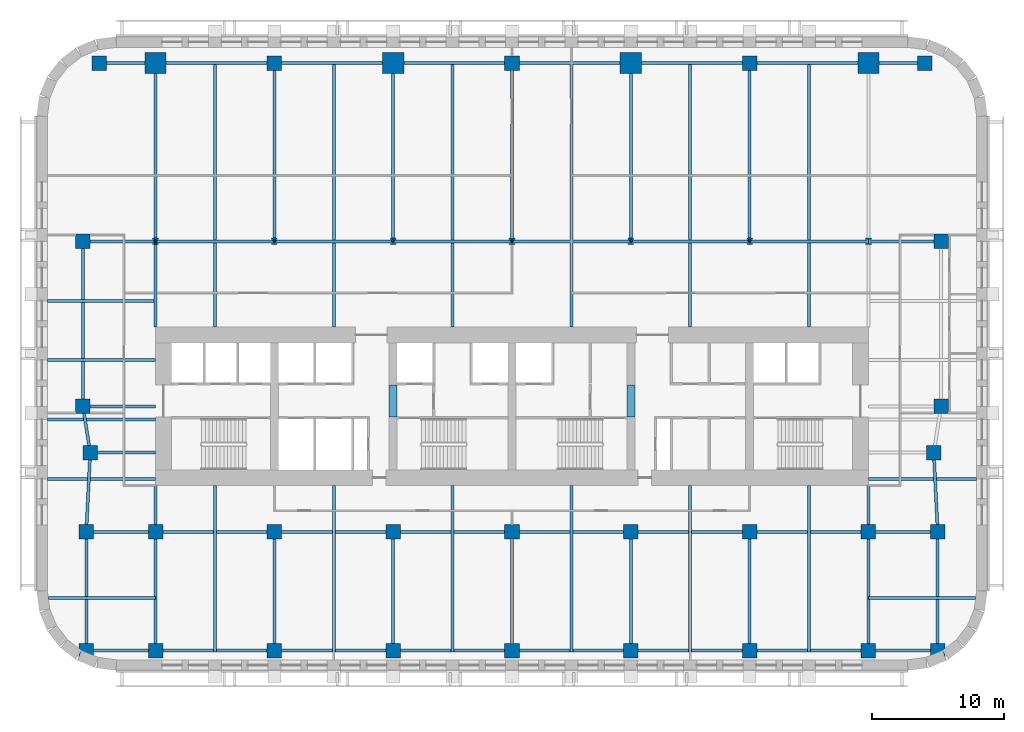
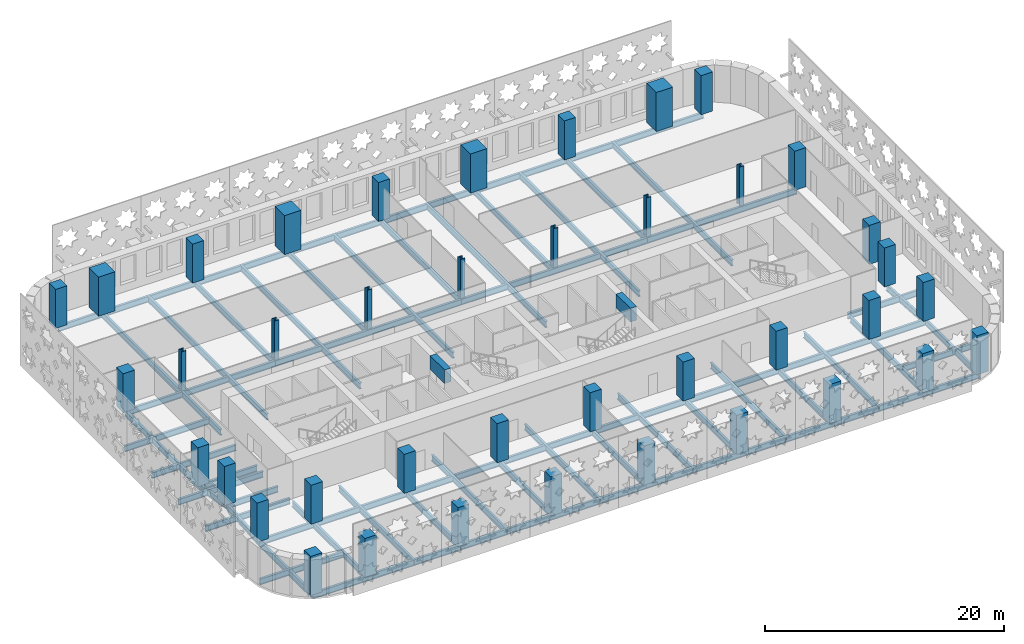
# One storey, part 1 of 15: 59 beams, 40 columns.
"""IFC4 building model written with IfcOpenShell, lengths in metres."""

from ifc_helpers import new_model, si_unit, direction, frame, origin, origin_2d, place, context, subcontext, project, spatial, rectangle, i_section, extrude, material, material_profile, profile_set, type_object, element, save


model = new_model("IFC4")

# Units and contexts
model_context = context("Model", 3, precision=1e-05, world=origin(), true_north=direction((0.0, 1.0)))
body_context = subcontext(model_context, "Body", "Model", "MODEL_VIEW")
ifc_project = project(units=[si_unit("LENGTHUNIT", "METRE"), si_unit("AREAUNIT", "SQUARE_METRE"), si_unit("VOLUMEUNIT", "CUBIC_METRE"), si_unit("PLANEANGLEUNIT", "RADIAN"), si_unit("MASSUNIT", "GRAM", prefix="KILO")], contexts=[model_context])

# Site, building, storey
site_placement = place(None, origin())
site = spatial("IfcSite", under=ifc_project, at=site_placement, CompositionType="ELEMENT")
building_placement = place(site_placement, origin())
building = spatial("IfcBuilding", under=site, at=building_placement, Name="Zellij Exchange Tower", CompositionType="ELEMENT")
storey_placement = place(building_placement, frame((0.0, 0.0, 84.5)))
storey = spatial("IfcBuildingStorey", under=building, at=storey_placement, Name="L17", CompositionType="ELEMENT", Elevation=84.5)

# Columns
ifc_material_1 = material(Name="Concrete C70/85", Category="concrete")
ifc_material_profile_1 = material_profile(ifc_material_1, rectangle(XDim=1.10009765625, YDim=1.10009765625, at=origin_2d()), Name="STR-COLUMN RC1100x1100 C70/85")
ifc_profile_set_1 = profile_set([ifc_material_profile_1], Name="Concrete C70/85")
column_type_1 = type_object("IfcColumnType", Name="STR-COLUMN RC1100x1100 C70/85", PredefinedType="COLUMN", material=ifc_profile_set_1)
for number, where, z_axis, x_axis, name in (
    (1, (-32.25, -26.5, 0.0), (0.0, 0.0, 1.0), (1.0, 0.0, 0.0), "C11"),
    (2, (-27.0, -26.5, 0.0), (0.0, 0.0, 1.0), (1.0, 0.0, 0.0), "C11"),
    (3, (-18.0, -26.5, 0.0), (0.0, 0.0, 1.0), (1.0, 0.0, 0.0), "C11"),
    (4, (-9.0, -26.5, 0.0), (0.0, 0.0, 1.0), (1.0, 0.0, 0.0), "C11"),
    (5, (0.0, -26.5, 0.0), (0.0, 0.0, 1.0), (1.0, 0.0, 0.0), "C11"),
    (6, (9.0, -26.5, 0.0), (0.0, 0.0, 1.0), (1.0, 0.0, 0.0), "C11"),
    (7, (18.0, -26.5, 0.0), (0.0, 0.0, 1.0), (1.0, 0.0, 0.0), "C11"),
    (8, (27.0, -26.5, 0.0), (0.0, 0.0, 1.0), (1.0, 0.0, 0.0), "C11"),
    (9, (32.25, -26.5, 0.0), (0.0, 0.0, 1.0), (1.0, 0.0, 0.0), "C11"),
    (10, (-32.25, -17.5, 0.0), (0.0, 0.0, 1.0), (1.0, 0.0, 0.0), "C11"),
    (11, (-27.0, -17.5, 0.0), (0.0, 0.0, 1.0), (1.0, 0.0, 0.0), "C11"),
    (12, (-18.0, -17.5, 0.0), (0.0, 0.0, 1.0), (1.0, 0.0, 0.0), "C11"),
    (13, (-9.0, -17.5, 0.0), (0.0, 0.0, 1.0), (1.0, 0.0, 0.0), "C11"),
    (14, (0.0, -17.5, 0.0), (0.0, 0.0, 1.0), (1.0, 0.0, 0.0), "C11"),
    (15, (9.0, -17.5, 0.0), (0.0, 0.0, 1.0), (1.0, 0.0, 0.0), "C11"),
    (16, (18.0, -17.5, 0.0), (0.0, 0.0, 1.0), (1.0, 0.0, 0.0), "C11"),
    (17, (27.0, -17.5, 0.0), (0.0, 0.0, 1.0), (1.0, 0.0, 0.0), "C11"),
    (18, (32.25, -17.5, 0.0), (0.0, 0.0, 1.0), (1.0, 0.0, 0.0), "C11"),
    (19, (-31.949951171875, -11.5, 0.0), (0.0, 0.0, 1.0), (1.0, 0.0, 0.0), "C11"),
    (20, (31.949951171875, -11.5, 0.0), (0.0, 0.0, 1.0), (1.0, 0.0, 0.0), "C11"),
    (21, (-32.5, -8.0, 0.0), (0.0, 0.0, 1.0), (1.0, 0.0, 0.0), "C11"),
    (22, (32.5, -8.0, 0.0), (0.0, 0.0, 1.0), (1.0, 0.0, 0.0), "C11"),
    (23, (-32.5, 4.5, 0.0), (0.0, 0.0, 1.0), (1.0, 0.0, 0.0), "C11"),
    (24, (32.5, 4.5, 0.0), (0.0, 0.0, 1.0), (1.0, 0.0, 0.0), "C11"),
    (25, (-31.25, 18.0, 0.0), (0.0, 0.0, 1.0), (1.0, 0.0, 0.0), "C11"),
    (26, (-18.0, 18.0, 0.0), (0.0, 0.0, 1.0), (1.0, 0.0, 0.0), "C11"),
    (27, (0.0, 18.0, 0.0), (0.0, 0.0, 1.0), (1.0, 0.0, 0.0), "C11"),
    (28, (18.0, 18.0, 0.0), (0.0, 0.0, 1.0), (1.0, 0.0, 0.0), "C11"),
    (29, (31.25, 18.0, 0.0), (0.0, 0.0, 1.0), (1.0, 0.0, 0.0), "C11"),
):
    element("IfcColumn", number, at=place(storey_placement, frame(where, z_axis=z_axis, x_axis=x_axis)), inside=storey, type_object=column_type_1, Name=name, PredefinedType="COLUMN", context=body_context, shape_type="SweptSolid", body=[
        extrude(rectangle(XDim=1.10009765625, YDim=1.10009765625, at=origin_2d()), origin(), (0.0, 0.0, 1.0), 4.0),
    ])
ifc_material_2 = material(Name="Structural steel ASTM A913 Gr 65", Category="steel")
ifc_material_profile_2 = material_profile(ifc_material_2, i_section(OverallWidth=0.431884765625, OverallDepth=0.497802734375, WebThickness=0.0556640625, FlangeThickness=0.0888671875, at=origin_2d()), Name="W14x500")
ifc_profile_set_2 = profile_set([ifc_material_profile_2], Name="Structural steel ASTM A913 Gr 65")
column_type_2 = type_object("IfcColumnType", Name="STR-COLUMN W14x500", PredefinedType="COLUMN", material=ifc_profile_set_2)
for number, where, z_axis, x_axis, name in (
    (30, (-27.0, 4.5, 0.0), (0.0, 0.0, 1.0), (1.0, 0.0, 0.0), "C5"),
    (31, (-18.0, 4.5, 0.0), (0.0, 0.0, 1.0), (1.0, 0.0, 0.0), "C5"),
    (32, (-9.0, 4.5, 0.0), (0.0, 0.0, 1.0), (1.0, 0.0, 0.0), "C5"),
    (33, (0.0, 4.5, 0.0), (0.0, 0.0, 1.0), (1.0, 0.0, 0.0), "C5"),
    (34, (9.0, 4.5, 0.0), (0.0, 0.0, 1.0), (1.0, 0.0, 0.0), "C5"),
    (35, (18.0, 4.5, 0.0), (0.0, 0.0, 1.0), (1.0, 0.0, 0.0), "C5"),
    (36, (27.0, 4.5, 0.0), (0.0, 0.0, 1.0), (1.0, 0.0, 0.0), "C5"),
):
    element("IfcColumn", number, at=place(storey_placement, frame(where, z_axis=z_axis, x_axis=x_axis)), inside=storey, type_object=column_type_2, Name=name, PredefinedType="COLUMN", context=body_context, shape_type="SweptSolid", body=[
        extrude(i_section(OverallWidth=0.431884765625, OverallDepth=0.497802734375, WebThickness=0.0556640625, FlangeThickness=0.0888671875, at=origin_2d()), origin(), (0.0, 0.0, 1.0), 4.0),
    ])
ifc_material_profile_3 = material_profile(ifc_material_1, rectangle(XDim=1.60009765625, YDim=1.60009765625, at=origin_2d()), Name="STR-MEGA COLUMN RC1600x1600 C70/85")
ifc_profile_set_3 = profile_set([ifc_material_profile_3], Name="Concrete C70/85")
column_type_3 = type_object("IfcColumnType", Name="STR-MEGA COLUMN RC1600x1600 C70/85", PredefinedType="COLUMN", material=ifc_profile_set_3)
for number, where, z_axis, x_axis, name in (
    (37, (-27.0, 18.0, 0.0), (0.0, 0.0, 1.0), (1.0, 0.0, 0.0), "MC6"),
    (38, (-9.0, 18.0, 0.0), (0.0, 0.0, 1.0), (1.0, 0.0, 0.0), "MC6"),
    (39, (9.0, 18.0, 0.0), (0.0, 0.0, 1.0), (1.0, 0.0, 0.0), "MC6"),
    (40, (27.0, 18.0, 0.0), (0.0, 0.0, 1.0), (1.0, 0.0, 0.0), "MC6"),
):
    element("IfcColumn", number, at=place(storey_placement, frame(where, z_axis=z_axis, x_axis=x_axis)), inside=storey, type_object=column_type_3, Name=name, PredefinedType="COLUMN", context=body_context, shape_type="SweptSolid", body=[
        extrude(rectangle(XDim=1.60009765625, YDim=1.60009765625, at=origin_2d()), origin(), (0.0, 0.0, 1.0), 4.0),
    ])

# Beams
ifc_material_profile_4 = material_profile(ifc_material_1, rectangle(XDim=0.60009765625, YDim=1.39990234375, at=origin_2d()), Name="CORE-CB 600x1400 C70/85")
ifc_profile_set_4 = profile_set([ifc_material_profile_4], Name="Concrete C70/85")
beam_type_1 = type_object("IfcBeamType", Name="CORE-CB 600x1400 C70/85", PredefinedType="BEAM", material=ifc_profile_set_4)
for number, where, z_axis, x_axis, name in (
    (41, (-9.0, -8.800048828125, 3.10009765625), (0.0, 1.0, 0.0), (-1.0, 0.0, 0.0), "Core coupling beam x -9 L17"),
    (42, (9.0, -8.800048828125, 3.10009765625), (0.0, 1.0, 0.0), (-1.0, 0.0, 0.0), "Core coupling beam x 9 L17"),
):
    element("IfcBeam", number, at=place(storey_placement, frame(where, z_axis=z_axis, x_axis=x_axis)), inside=storey, type_object=beam_type_1, Name=name, PredefinedType="BEAM", context=body_context, shape_type="SweptSolid", body=[
        extrude(rectangle(XDim=0.60009765625, YDim=1.39990234375, at=origin_2d()), origin(), (0.0, 0.0, 1.0), 2.425048828125),
    ])
ifc_material_3 = material(Name="Structural steel ASTM A992 Gr 50", Category="steel")
ifc_material_profile_5 = material_profile(ifc_material_3, i_section(OverallWidth=0.227783203125, OverallDepth=0.60205078125, WebThickness=0.010498046875, FlangeThickness=0.014892578125, at=origin_2d()), Name="W24x68")
ifc_profile_set_5 = profile_set([ifc_material_profile_5], Name="Structural steel ASTM A992 Gr 50")
beam_type_2 = type_object("IfcBeamType", Name="STR-BEAM W24x68", PredefinedType="BEAM", material=ifc_profile_set_5)
beam_1_placement = place(storey_placement, frame((-22.5, -26.614501953125, -0.5009765625), z_axis=(0.0, 1.0, 0.0), x_axis=(-1.0, 0.0, 0.0)))
element("IfcBeam", 43, at=beam_1_placement, inside=storey, type_object=beam_type_2, Name="B5", PredefinedType="BEAM", context=body_context, shape_type="SweptSolid", body=[
    extrude(i_section(OverallWidth=0.227783203125, OverallDepth=0.60205078125, WebThickness=0.010498046875, FlangeThickness=0.014892578125, at=origin_2d()), origin(), (0.0, 0.0, 1.0), 12.614501953125),
])
beam_2_placement = place(storey_placement, frame((-22.5, -2.0, -0.5009765625), z_axis=(0.0, 1.0, 0.0), x_axis=(-1.0, 0.0, 0.0)))
element("IfcBeam", 44, at=beam_2_placement, inside=storey, type_object=beam_type_2, Name="B5", PredefinedType="BEAM", context=body_context, shape_type="SweptSolid", body=[
    extrude(i_section(OverallWidth=0.227783203125, OverallDepth=0.60205078125, WebThickness=0.010498046875, FlangeThickness=0.014892578125, at=origin_2d()), origin(), (0.0, 0.0, 1.0), 20.114501953125),
])
beam_3_placement = place(storey_placement, frame((-13.5, -26.614501953125, -0.5009765625), z_axis=(0.0, 1.0, 0.0), x_axis=(-1.0, 0.0, 0.0)))
element("IfcBeam", 45, at=beam_3_placement, inside=storey, type_object=beam_type_2, Name="B5", PredefinedType="BEAM", context=body_context, shape_type="SweptSolid", body=[
    extrude(i_section(OverallWidth=0.227783203125, OverallDepth=0.60205078125, WebThickness=0.010498046875, FlangeThickness=0.014892578125, at=origin_2d()), origin(), (0.0, 0.0, 1.0), 12.614501953125),
])
beam_4_placement = place(storey_placement, frame((-13.5, -2.0, -0.5009765625), z_axis=(0.0, 1.0, 0.0), x_axis=(-1.0, 0.0, 0.0)))
element("IfcBeam", 46, at=beam_4_placement, inside=storey, type_object=beam_type_2, Name="B5", PredefinedType="BEAM", context=body_context, shape_type="SweptSolid", body=[
    extrude(i_section(OverallWidth=0.227783203125, OverallDepth=0.60205078125, WebThickness=0.010498046875, FlangeThickness=0.014892578125, at=origin_2d()), origin(), (0.0, 0.0, 1.0), 20.114501953125),
])
beam_5_placement = place(storey_placement, frame((-4.5, -26.614501953125, -0.5009765625), z_axis=(0.0, 1.0, 0.0), x_axis=(-1.0, 0.0, 0.0)))
element("IfcBeam", 47, at=beam_5_placement, inside=storey, type_object=beam_type_2, Name="B5", PredefinedType="BEAM", context=body_context, shape_type="SweptSolid", body=[
    extrude(i_section(OverallWidth=0.227783203125, OverallDepth=0.60205078125, WebThickness=0.010498046875, FlangeThickness=0.014892578125, at=origin_2d()), origin(), (0.0, 0.0, 1.0), 12.614501953125),
])
beam_6_placement = place(storey_placement, frame((-4.5, -2.0, -0.5009765625), z_axis=(0.0, 1.0, 0.0), x_axis=(-1.0, 0.0, 0.0)))
element("IfcBeam", 48, at=beam_6_placement, inside=storey, type_object=beam_type_2, Name="B5", PredefinedType="BEAM", context=body_context, shape_type="SweptSolid", body=[
    extrude(i_section(OverallWidth=0.227783203125, OverallDepth=0.60205078125, WebThickness=0.010498046875, FlangeThickness=0.014892578125, at=origin_2d()), origin(), (0.0, 0.0, 1.0), 20.114501953125),
])
beam_7_placement = place(storey_placement, frame((4.5, -26.614501953125, -0.5009765625), z_axis=(0.0, 1.0, 0.0), x_axis=(-1.0, 0.0, 0.0)))
element("IfcBeam", 49, at=beam_7_placement, inside=storey, type_object=beam_type_2, Name="B5", PredefinedType="BEAM", context=body_context, shape_type="SweptSolid", body=[
    extrude(i_section(OverallWidth=0.227783203125, OverallDepth=0.60205078125, WebThickness=0.010498046875, FlangeThickness=0.014892578125, at=origin_2d()), origin(), (0.0, 0.0, 1.0), 12.614501953125),
])
beam_8_placement = place(storey_placement, frame((4.5, -2.0, -0.5009765625), z_axis=(0.0, 1.0, 0.0), x_axis=(-1.0, 0.0, 0.0)))
element("IfcBeam", 50, at=beam_8_placement, inside=storey, type_object=beam_type_2, Name="B5", PredefinedType="BEAM", context=body_context, shape_type="SweptSolid", body=[
    extrude(i_section(OverallWidth=0.227783203125, OverallDepth=0.60205078125, WebThickness=0.010498046875, FlangeThickness=0.014892578125, at=origin_2d()), origin(), (0.0, 0.0, 1.0), 20.114501953125),
])
beam_9_placement = place(storey_placement, frame((13.5, -26.614501953125, -0.5009765625), z_axis=(0.0, 1.0, 0.0), x_axis=(-1.0, 0.0, 0.0)))
element("IfcBeam", 51, at=beam_9_placement, inside=storey, type_object=beam_type_2, Name="B5", PredefinedType="BEAM", context=body_context, shape_type="SweptSolid", body=[
    extrude(i_section(OverallWidth=0.227783203125, OverallDepth=0.60205078125, WebThickness=0.010498046875, FlangeThickness=0.014892578125, at=origin_2d()), origin(), (0.0, 0.0, 1.0), 12.614501953125),
])
beam_10_placement = place(storey_placement, frame((13.5, -2.0, -0.5009765625), z_axis=(0.0, 1.0, 0.0), x_axis=(-1.0, 0.0, 0.0)))
element("IfcBeam", 52, at=beam_10_placement, inside=storey, type_object=beam_type_2, Name="B5", PredefinedType="BEAM", context=body_context, shape_type="SweptSolid", body=[
    extrude(i_section(OverallWidth=0.227783203125, OverallDepth=0.60205078125, WebThickness=0.010498046875, FlangeThickness=0.014892578125, at=origin_2d()), origin(), (0.0, 0.0, 1.0), 20.114501953125),
])
beam_11_placement = place(storey_placement, frame((22.5, -26.614501953125, -0.5009765625), z_axis=(0.0, 1.0, 0.0), x_axis=(-1.0, 0.0, 0.0)))
element("IfcBeam", 53, at=beam_11_placement, inside=storey, type_object=beam_type_2, Name="B5", PredefinedType="BEAM", context=body_context, shape_type="SweptSolid", body=[
    extrude(i_section(OverallWidth=0.227783203125, OverallDepth=0.60205078125, WebThickness=0.010498046875, FlangeThickness=0.014892578125, at=origin_2d()), origin(), (0.0, 0.0, 1.0), 12.614501953125),
])
beam_12_placement = place(storey_placement, frame((22.5, -2.0, -0.5009765625), z_axis=(0.0, 1.0, 0.0), x_axis=(-1.0, 0.0, 0.0)))
element("IfcBeam", 54, at=beam_12_placement, inside=storey, type_object=beam_type_2, Name="B5", PredefinedType="BEAM", context=body_context, shape_type="SweptSolid", body=[
    extrude(i_section(OverallWidth=0.227783203125, OverallDepth=0.60205078125, WebThickness=0.010498046875, FlangeThickness=0.014892578125, at=origin_2d()), origin(), (0.0, 0.0, 1.0), 20.114501953125),
])
beam_13_placement = place(storey_placement, frame((-35.126953125, -22.5, -0.5009765625), z_axis=(1.0, 0.0, 0.0), x_axis=(0.0, 1.0, 0.0)))
element("IfcBeam", 55, at=beam_13_placement, inside=storey, type_object=beam_type_2, Name="B5", PredefinedType="BEAM", context=body_context, shape_type="SweptSolid", body=[
    extrude(i_section(OverallWidth=0.227783203125, OverallDepth=0.60205078125, WebThickness=0.010498046875, FlangeThickness=0.014892578125, at=origin_2d()), origin(), (0.0, 0.0, 1.0), 8.126953125),
])
for number, where, z_axis, x_axis, name in (
    (56, (-35.199951171875, -13.5, -0.5009765625), (1.0, 0.0, 0.0), (0.0, 1.0, 0.0), "B5"),
    (57, (-35.199951171875, -9.0, -0.5009765625), (1.0, 0.0, 0.0), (0.0, 1.0, 0.0), "B5"),
    (58, (-35.199951171875, -4.5, -0.5009765625), (1.0, 0.0, 0.0), (0.0, 1.0, 0.0), "B5"),
    (59, (-35.199951171875, 0.0, -0.5009765625), (1.0, 0.0, 0.0), (0.0, 1.0, 0.0), "B5"),
):
    element("IfcBeam", number, at=place(storey_placement, frame(where, z_axis=z_axis, x_axis=x_axis)), inside=storey, type_object=beam_type_2, Name=name, PredefinedType="BEAM", context=body_context, shape_type="SweptSolid", body=[
        extrude(i_section(OverallWidth=0.227783203125, OverallDepth=0.60205078125, WebThickness=0.010498046875, FlangeThickness=0.014892578125, at=origin_2d()), origin(), (0.0, 0.0, 1.0), 8.199951171875),
    ])
beam_14_placement = place(storey_placement, frame((27.0, -22.5, -0.5009765625), z_axis=(1.0, 0.0, 0.0), x_axis=(0.0, 1.0, 0.0)))
element("IfcBeam", 60, at=beam_14_placement, inside=storey, type_object=beam_type_2, Name="B5", PredefinedType="BEAM", context=body_context, shape_type="SweptSolid", body=[
    extrude(i_section(OverallWidth=0.227783203125, OverallDepth=0.60205078125, WebThickness=0.010498046875, FlangeThickness=0.014892578125, at=origin_2d()), origin(), (0.0, 0.0, 1.0), 8.126953125),
])
beam_15_placement = place(storey_placement, frame((27.0, -13.5, -0.5009765625), z_axis=(1.0, 0.0, 0.0), x_axis=(0.0, 1.0, 0.0)))
element("IfcBeam", 61, at=beam_15_placement, inside=storey, type_object=beam_type_2, Name="B5", PredefinedType="BEAM", context=body_context, shape_type="SweptSolid", body=[
    extrude(i_section(OverallWidth=0.227783203125, OverallDepth=0.60205078125, WebThickness=0.010498046875, FlangeThickness=0.014892578125, at=origin_2d()), origin(), (0.0, 0.0, 1.0), 8.199951171875),
])
ifc_material_profile_6 = material_profile(ifc_material_3, i_section(OverallWidth=0.22900390625, OverallDepth=0.612060546875, WebThickness=0.011962890625, FlangeThickness=0.01953125, at=origin_2d()), Name="W24x84")
ifc_profile_set_6 = profile_set([ifc_material_profile_6], Name="Structural steel ASTM A992 Gr 50")
beam_type_3 = type_object("IfcBeamType", Name="STR-EDGE GIRDER W24x84", PredefinedType="BEAM", material=ifc_profile_set_6)
beam_16_placement = place(storey_placement, frame((-32.25, -26.5, -0.506103515625), z_axis=(0.0, 1.0, 0.0), x_axis=(-1.0, 0.0, 0.0)))
element("IfcBeam", 62, at=beam_16_placement, inside=storey, type_object=beam_type_3, Name="EB6", PredefinedType="BEAM", context=body_context, shape_type="SweptSolid", body=[
    extrude(i_section(OverallWidth=0.22900390625, OverallDepth=0.612060546875, WebThickness=0.011962890625, FlangeThickness=0.01953125, at=origin_2d()), origin(), (0.0, 0.0, 1.0), 9.0),
])
beam_17_placement = place(storey_placement, frame((-32.25, -17.5, -0.506103515625), z_axis=(0.049945724537, 0.998751933465, 0.0), x_axis=(-0.998751933465, 0.049945724537, 0.0)))
element("IfcBeam", 63, at=beam_17_placement, inside=storey, type_object=beam_type_3, Name="EB6", PredefinedType="BEAM", context=body_context, shape_type="SweptSolid", body=[
    extrude(i_section(OverallWidth=0.22900390625, OverallDepth=0.612060546875, WebThickness=0.011962890625, FlangeThickness=0.01953125, at=origin_2d()), origin(), (0.0, 0.0, 1.0), 6.007568359375),
])
beam_18_placement = place(storey_placement, frame((-31.949951171875, -11.5, -0.506103515625), z_axis=(-0.155251283593, 0.987875011802, 0.0), x_axis=(-0.987875011802, -0.155251283593, 0.0)))
element("IfcBeam", 64, at=beam_18_placement, inside=storey, type_object=beam_type_3, Name="EB6", PredefinedType="BEAM", context=body_context, shape_type="SweptSolid", body=[
    extrude(i_section(OverallWidth=0.22900390625, OverallDepth=0.612060546875, WebThickness=0.011962890625, FlangeThickness=0.01953125, at=origin_2d()), origin(), (0.0, 0.0, 1.0), 3.54296875),
])
beam_19_placement = place(storey_placement, frame((-32.5, -8.0, -0.506103515625), z_axis=(0.0, 1.0, 0.0), x_axis=(-1.0, 0.0, 0.0)))
element("IfcBeam", 65, at=beam_19_placement, inside=storey, type_object=beam_type_3, Name="EB6", PredefinedType="BEAM", context=body_context, shape_type="SweptSolid", body=[
    extrude(i_section(OverallWidth=0.22900390625, OverallDepth=0.612060546875, WebThickness=0.011962890625, FlangeThickness=0.01953125, at=origin_2d()), origin(), (0.0, 0.0, 1.0), 12.5),
])
beam_20_placement = place(storey_placement, frame((32.25, -26.5, -0.506103515625), z_axis=(0.0, 1.0, 0.0), x_axis=(-1.0, 0.0, 0.0)))
element("IfcBeam", 66, at=beam_20_placement, inside=storey, type_object=beam_type_3, Name="EB6", PredefinedType="BEAM", context=body_context, shape_type="SweptSolid", body=[
    extrude(i_section(OverallWidth=0.22900390625, OverallDepth=0.612060546875, WebThickness=0.011962890625, FlangeThickness=0.01953125, at=origin_2d()), origin(), (0.0, 0.0, 1.0), 9.0),
])
beam_21_placement = place(storey_placement, frame((32.25, -17.5, -0.506103515625), z_axis=(-0.049945724537, 0.998751933465, 0.0), x_axis=(-0.998751933465, -0.049945724537, 0.0)))
element("IfcBeam", 67, at=beam_21_placement, inside=storey, type_object=beam_type_3, Name="EB6", PredefinedType="BEAM", context=body_context, shape_type="SweptSolid", body=[
    extrude(i_section(OverallWidth=0.22900390625, OverallDepth=0.612060546875, WebThickness=0.011962890625, FlangeThickness=0.01953125, at=origin_2d()), origin(), (0.0, 0.0, 1.0), 6.007568359375),
])
ifc_material_profile_7 = material_profile(ifc_material_3, i_section(OverallWidth=0.22900390625, OverallDepth=0.612060546875, WebThickness=0.011962890625, FlangeThickness=0.01953125, at=origin_2d()), Name="W24x84")
ifc_profile_set_7 = profile_set([ifc_material_profile_7], Name="Structural steel ASTM A992 Gr 50")
beam_type_4 = type_object("IfcBeamType", Name="STR-GIRDER W24x84", PredefinedType="BEAM", material=ifc_profile_set_7)
beam_22_placement = place(storey_placement, frame((-32.25, -26.5, -0.506103515625), z_axis=(1.0, 0.0, 0.0), x_axis=(0.0, 1.0, 0.0)))
element("IfcBeam", 68, at=beam_22_placement, inside=storey, type_object=beam_type_4, Name="G4", PredefinedType="BEAM", context=body_context, shape_type="SweptSolid", body=[
    extrude(i_section(OverallWidth=0.22900390625, OverallDepth=0.612060546875, WebThickness=0.011962890625, FlangeThickness=0.01953125, at=origin_2d()), origin(), (0.0, 0.0, 1.0), 14.25),
])
for number, where, z_axis, x_axis, name in (
    (69, (-18.0, -26.5, -0.506103515625), (1.0, 0.0, 0.0), (0.0, 1.0, 0.0), "G4"),
    (70, (0.0, -26.5, -0.506103515625), (1.0, 0.0, 0.0), (0.0, 1.0, 0.0), "G4"),
):
    element("IfcBeam", number, at=place(storey_placement, frame(where, z_axis=z_axis, x_axis=x_axis)), inside=storey, type_object=beam_type_4, Name=name, PredefinedType="BEAM", context=body_context, shape_type="SweptSolid", body=[
        extrude(i_section(OverallWidth=0.22900390625, OverallDepth=0.612060546875, WebThickness=0.011962890625, FlangeThickness=0.01953125, at=origin_2d()), origin(), (0.0, 0.0, 1.0), 18.0),
    ])
for number, where, z_axis, x_axis, name in (
    (71, (18.0, -26.5, -0.506103515625), (1.0, 0.0, 0.0), (0.0, 1.0, 0.0), "G4"),
    (72, (-32.25, -17.5, -0.506103515625), (1.0, 0.0, 0.0), (0.0, 1.0, 0.0), "G4"),
):
    element("IfcBeam", number, at=place(storey_placement, frame(where, z_axis=z_axis, x_axis=x_axis)), inside=storey, type_object=beam_type_4, Name=name, PredefinedType="BEAM", context=body_context, shape_type="SweptSolid", body=[
        extrude(i_section(OverallWidth=0.22900390625, OverallDepth=0.612060546875, WebThickness=0.011962890625, FlangeThickness=0.01953125, at=origin_2d()), origin(), (0.0, 0.0, 1.0), 14.25),
    ])
for number, where, z_axis, x_axis, name in (
    (73, (-18.0, -17.5, -0.506103515625), (1.0, 0.0, 0.0), (0.0, 1.0, 0.0), "G4"),
    (74, (0.0, -17.5, -0.506103515625), (1.0, 0.0, 0.0), (0.0, 1.0, 0.0), "G4"),
):
    element("IfcBeam", number, at=place(storey_placement, frame(where, z_axis=z_axis, x_axis=x_axis)), inside=storey, type_object=beam_type_4, Name=name, PredefinedType="BEAM", context=body_context, shape_type="SweptSolid", body=[
        extrude(i_section(OverallWidth=0.22900390625, OverallDepth=0.612060546875, WebThickness=0.011962890625, FlangeThickness=0.01953125, at=origin_2d()), origin(), (0.0, 0.0, 1.0), 18.0),
    ])
beam_23_placement = place(storey_placement, frame((18.0, -17.5, -0.506103515625), z_axis=(1.0, 0.0, 0.0), x_axis=(0.0, 1.0, 0.0)))
element("IfcBeam", 75, at=beam_23_placement, inside=storey, type_object=beam_type_4, Name="G4", PredefinedType="BEAM", context=body_context, shape_type="SweptSolid", body=[
    extrude(i_section(OverallWidth=0.22900390625, OverallDepth=0.612060546875, WebThickness=0.011962890625, FlangeThickness=0.01953125, at=origin_2d()), origin(), (0.0, 0.0, 1.0), 14.25),
])
beam_24_placement = place(storey_placement, frame((-31.949951171875, -11.5, -0.506103515625), z_axis=(1.0, 0.0, 0.0), x_axis=(0.0, 1.0, 0.0)))
element("IfcBeam", 76, at=beam_24_placement, inside=storey, type_object=beam_type_4, Name="G4", PredefinedType="BEAM", context=body_context, shape_type="SweptSolid", body=[
    extrude(i_section(OverallWidth=0.22900390625, OverallDepth=0.612060546875, WebThickness=0.011962890625, FlangeThickness=0.01953125, at=origin_2d()), origin(), (0.0, 0.0, 1.0), 4.949951171875),
])
beam_25_placement = place(storey_placement, frame((-32.5, -8.0, -0.506103515625), z_axis=(1.0, 0.0, 0.0), x_axis=(0.0, 1.0, 0.0)))
element("IfcBeam", 77, at=beam_25_placement, inside=storey, type_object=beam_type_4, Name="G4", PredefinedType="BEAM", context=body_context, shape_type="SweptSolid", body=[
    extrude(i_section(OverallWidth=0.22900390625, OverallDepth=0.612060546875, WebThickness=0.011962890625, FlangeThickness=0.01953125, at=origin_2d()), origin(), (0.0, 0.0, 1.0), 5.5),
])
beam_26_placement = place(storey_placement, frame((-32.5, 4.5, -0.506103515625), z_axis=(1.0, 0.0, 0.0), x_axis=(0.0, 1.0, 0.0)))
element("IfcBeam", 78, at=beam_26_placement, inside=storey, type_object=beam_type_4, Name="G4", PredefinedType="BEAM", context=body_context, shape_type="SweptSolid", body=[
    extrude(i_section(OverallWidth=0.22900390625, OverallDepth=0.612060546875, WebThickness=0.011962890625, FlangeThickness=0.01953125, at=origin_2d()), origin(), (0.0, 0.0, 1.0), 14.5),
])
for number, where, z_axis, x_axis, name in (
    (79, (-18.0, 4.5, -0.506103515625), (1.0, 0.0, 0.0), (0.0, 1.0, 0.0), "G4"),
    (80, (0.0, 4.5, -0.506103515625), (1.0, 0.0, 0.0), (0.0, 1.0, 0.0), "G4"),
):
    element("IfcBeam", number, at=place(storey_placement, frame(where, z_axis=z_axis, x_axis=x_axis)), inside=storey, type_object=beam_type_4, Name=name, PredefinedType="BEAM", context=body_context, shape_type="SweptSolid", body=[
        extrude(i_section(OverallWidth=0.22900390625, OverallDepth=0.612060546875, WebThickness=0.011962890625, FlangeThickness=0.01953125, at=origin_2d()), origin(), (0.0, 0.0, 1.0), 18.0),
    ])
beam_27_placement = place(storey_placement, frame((18.0, 4.5, -0.506103515625), z_axis=(1.0, 0.0, 0.0), x_axis=(0.0, 1.0, 0.0)))
element("IfcBeam", 81, at=beam_27_placement, inside=storey, type_object=beam_type_4, Name="G4", PredefinedType="BEAM", context=body_context, shape_type="SweptSolid", body=[
    extrude(i_section(OverallWidth=0.22900390625, OverallDepth=0.612060546875, WebThickness=0.011962890625, FlangeThickness=0.01953125, at=origin_2d()), origin(), (0.0, 0.0, 1.0), 14.5),
])
beam_28_placement = place(storey_placement, frame((-31.25, 18.0, -0.506103515625), z_axis=(1.0, 0.0, 0.0), x_axis=(0.0, 1.0, 0.0)))
element("IfcBeam", 82, at=beam_28_placement, inside=storey, type_object=beam_type_4, Name="G4", PredefinedType="BEAM", context=body_context, shape_type="SweptSolid", body=[
    extrude(i_section(OverallWidth=0.22900390625, OverallDepth=0.612060546875, WebThickness=0.011962890625, FlangeThickness=0.01953125, at=origin_2d()), origin(), (0.0, 0.0, 1.0), 13.25),
])
for number, where, z_axis, x_axis, name in (
    (83, (-18.0, 18.0, -0.506103515625), (1.0, 0.0, 0.0), (0.0, 1.0, 0.0), "G4"),
    (84, (0.0, 18.0, -0.506103515625), (1.0, 0.0, 0.0), (0.0, 1.0, 0.0), "G4"),
):
    element("IfcBeam", number, at=place(storey_placement, frame(where, z_axis=z_axis, x_axis=x_axis)), inside=storey, type_object=beam_type_4, Name=name, PredefinedType="BEAM", context=body_context, shape_type="SweptSolid", body=[
        extrude(i_section(OverallWidth=0.22900390625, OverallDepth=0.612060546875, WebThickness=0.011962890625, FlangeThickness=0.01953125, at=origin_2d()), origin(), (0.0, 0.0, 1.0), 18.0),
    ])
beam_29_placement = place(storey_placement, frame((18.0, 18.0, -0.506103515625), z_axis=(1.0, 0.0, 0.0), x_axis=(0.0, 1.0, 0.0)))
element("IfcBeam", 85, at=beam_29_placement, inside=storey, type_object=beam_type_4, Name="G4", PredefinedType="BEAM", context=body_context, shape_type="SweptSolid", body=[
    extrude(i_section(OverallWidth=0.22900390625, OverallDepth=0.612060546875, WebThickness=0.011962890625, FlangeThickness=0.01953125, at=origin_2d()), origin(), (0.0, 0.0, 1.0), 13.25),
])
beam_30_placement = place(storey_placement, frame((-27.0, -26.5, -0.506103515625), z_axis=(0.0, 1.0, 0.0), x_axis=(-1.0, 0.0, 0.0)))
element("IfcBeam", 86, at=beam_30_placement, inside=storey, type_object=beam_type_4, Name="G4", PredefinedType="BEAM", context=body_context, shape_type="SweptSolid", body=[
    extrude(i_section(OverallWidth=0.22900390625, OverallDepth=0.612060546875, WebThickness=0.011962890625, FlangeThickness=0.01953125, at=origin_2d()), origin(), (0.0, 0.0, 1.0), 12.5),
])
beam_31_placement = place(storey_placement, frame((-27.0, -2.0, -0.506103515625), z_axis=(0.0, 1.0, 0.0), x_axis=(-1.0, 0.0, 0.0)))
element("IfcBeam", 87, at=beam_31_placement, inside=storey, type_object=beam_type_4, Name="G4", PredefinedType="BEAM", context=body_context, shape_type="SweptSolid", body=[
    extrude(i_section(OverallWidth=0.22900390625, OverallDepth=0.612060546875, WebThickness=0.011962890625, FlangeThickness=0.01953125, at=origin_2d()), origin(), (0.0, 0.0, 1.0), 6.5),
])
beam_32_placement = place(storey_placement, frame((-27.0, 4.5, -0.506103515625), z_axis=(0.0, 1.0, 0.0), x_axis=(-1.0, 0.0, 0.0)))
element("IfcBeam", 88, at=beam_32_placement, inside=storey, type_object=beam_type_4, Name="G4", PredefinedType="BEAM", context=body_context, shape_type="SweptSolid", body=[
    extrude(i_section(OverallWidth=0.22900390625, OverallDepth=0.612060546875, WebThickness=0.011962890625, FlangeThickness=0.01953125, at=origin_2d()), origin(), (0.0, 0.0, 1.0), 13.5),
])
beam_33_placement = place(storey_placement, frame((-18.0, -26.5, -0.506103515625), z_axis=(0.0, 1.0, 0.0), x_axis=(-1.0, 0.0, 0.0)))
element("IfcBeam", 89, at=beam_33_placement, inside=storey, type_object=beam_type_4, Name="G4", PredefinedType="BEAM", context=body_context, shape_type="SweptSolid", body=[
    extrude(i_section(OverallWidth=0.22900390625, OverallDepth=0.612060546875, WebThickness=0.011962890625, FlangeThickness=0.01953125, at=origin_2d()), origin(), (0.0, 0.0, 1.0), 9.0),
])
beam_34_placement = place(storey_placement, frame((-18.0, 4.5, -0.506103515625), z_axis=(0.0, 1.0, 0.0), x_axis=(-1.0, 0.0, 0.0)))
element("IfcBeam", 90, at=beam_34_placement, inside=storey, type_object=beam_type_4, Name="G4", PredefinedType="BEAM", context=body_context, shape_type="SweptSolid", body=[
    extrude(i_section(OverallWidth=0.22900390625, OverallDepth=0.612060546875, WebThickness=0.011962890625, FlangeThickness=0.01953125, at=origin_2d()), origin(), (0.0, 0.0, 1.0), 13.5),
])
beam_35_placement = place(storey_placement, frame((-9.0, -26.5, -0.506103515625), z_axis=(0.0, 1.0, 0.0), x_axis=(-1.0, 0.0, 0.0)))
element("IfcBeam", 91, at=beam_35_placement, inside=storey, type_object=beam_type_4, Name="G4", PredefinedType="BEAM", context=body_context, shape_type="SweptSolid", body=[
    extrude(i_section(OverallWidth=0.22900390625, OverallDepth=0.612060546875, WebThickness=0.011962890625, FlangeThickness=0.01953125, at=origin_2d()), origin(), (0.0, 0.0, 1.0), 9.0),
])
beam_36_placement = place(storey_placement, frame((-9.0, 4.5, -0.506103515625), z_axis=(0.0, 1.0, 0.0), x_axis=(-1.0, 0.0, 0.0)))
element("IfcBeam", 92, at=beam_36_placement, inside=storey, type_object=beam_type_4, Name="G4", PredefinedType="BEAM", context=body_context, shape_type="SweptSolid", body=[
    extrude(i_section(OverallWidth=0.22900390625, OverallDepth=0.612060546875, WebThickness=0.011962890625, FlangeThickness=0.01953125, at=origin_2d()), origin(), (0.0, 0.0, 1.0), 13.5),
])
beam_37_placement = place(storey_placement, frame((0.0, -26.5, -0.506103515625), z_axis=(0.0, 1.0, 0.0), x_axis=(-1.0, 0.0, 0.0)))
element("IfcBeam", 93, at=beam_37_placement, inside=storey, type_object=beam_type_4, Name="G4", PredefinedType="BEAM", context=body_context, shape_type="SweptSolid", body=[
    extrude(i_section(OverallWidth=0.22900390625, OverallDepth=0.612060546875, WebThickness=0.011962890625, FlangeThickness=0.01953125, at=origin_2d()), origin(), (0.0, 0.0, 1.0), 9.0),
])
beam_38_placement = place(storey_placement, frame((0.0, 4.5, -0.506103515625), z_axis=(0.0, 1.0, 0.0), x_axis=(-1.0, 0.0, 0.0)))
element("IfcBeam", 94, at=beam_38_placement, inside=storey, type_object=beam_type_4, Name="G4", PredefinedType="BEAM", context=body_context, shape_type="SweptSolid", body=[
    extrude(i_section(OverallWidth=0.22900390625, OverallDepth=0.612060546875, WebThickness=0.011962890625, FlangeThickness=0.01953125, at=origin_2d()), origin(), (0.0, 0.0, 1.0), 13.5),
])
beam_39_placement = place(storey_placement, frame((9.0, -26.5, -0.506103515625), z_axis=(0.0, 1.0, 0.0), x_axis=(-1.0, 0.0, 0.0)))
element("IfcBeam", 95, at=beam_39_placement, inside=storey, type_object=beam_type_4, Name="G4", PredefinedType="BEAM", context=body_context, shape_type="SweptSolid", body=[
    extrude(i_section(OverallWidth=0.22900390625, OverallDepth=0.612060546875, WebThickness=0.011962890625, FlangeThickness=0.01953125, at=origin_2d()), origin(), (0.0, 0.0, 1.0), 9.0),
])
beam_40_placement = place(storey_placement, frame((9.0, 4.5, -0.506103515625), z_axis=(0.0, 1.0, 0.0), x_axis=(-1.0, 0.0, 0.0)))
element("IfcBeam", 96, at=beam_40_placement, inside=storey, type_object=beam_type_4, Name="G4", PredefinedType="BEAM", context=body_context, shape_type="SweptSolid", body=[
    extrude(i_section(OverallWidth=0.22900390625, OverallDepth=0.612060546875, WebThickness=0.011962890625, FlangeThickness=0.01953125, at=origin_2d()), origin(), (0.0, 0.0, 1.0), 13.5),
])
beam_41_placement = place(storey_placement, frame((18.0, -26.5, -0.506103515625), z_axis=(0.0, 1.0, 0.0), x_axis=(-1.0, 0.0, 0.0)))
element("IfcBeam", 97, at=beam_41_placement, inside=storey, type_object=beam_type_4, Name="G4", PredefinedType="BEAM", context=body_context, shape_type="SweptSolid", body=[
    extrude(i_section(OverallWidth=0.22900390625, OverallDepth=0.612060546875, WebThickness=0.011962890625, FlangeThickness=0.01953125, at=origin_2d()), origin(), (0.0, 0.0, 1.0), 9.0),
])
beam_42_placement = place(storey_placement, frame((18.0, 4.5, -0.506103515625), z_axis=(0.0, 1.0, 0.0), x_axis=(-1.0, 0.0, 0.0)))
element("IfcBeam", 98, at=beam_42_placement, inside=storey, type_object=beam_type_4, Name="G4", PredefinedType="BEAM", context=body_context, shape_type="SweptSolid", body=[
    extrude(i_section(OverallWidth=0.22900390625, OverallDepth=0.612060546875, WebThickness=0.011962890625, FlangeThickness=0.01953125, at=origin_2d()), origin(), (0.0, 0.0, 1.0), 13.5),
])
beam_43_placement = place(storey_placement, frame((27.0, -26.5, -0.506103515625), z_axis=(0.0, 1.0, 0.0), x_axis=(-1.0, 0.0, 0.0)))
element("IfcBeam", 99, at=beam_43_placement, inside=storey, type_object=beam_type_4, Name="G4", PredefinedType="BEAM", context=body_context, shape_type="SweptSolid", body=[
    extrude(i_section(OverallWidth=0.22900390625, OverallDepth=0.612060546875, WebThickness=0.011962890625, FlangeThickness=0.01953125, at=origin_2d()), origin(), (0.0, 0.0, 1.0), 12.5),
])

save(model, "model.ifc")
